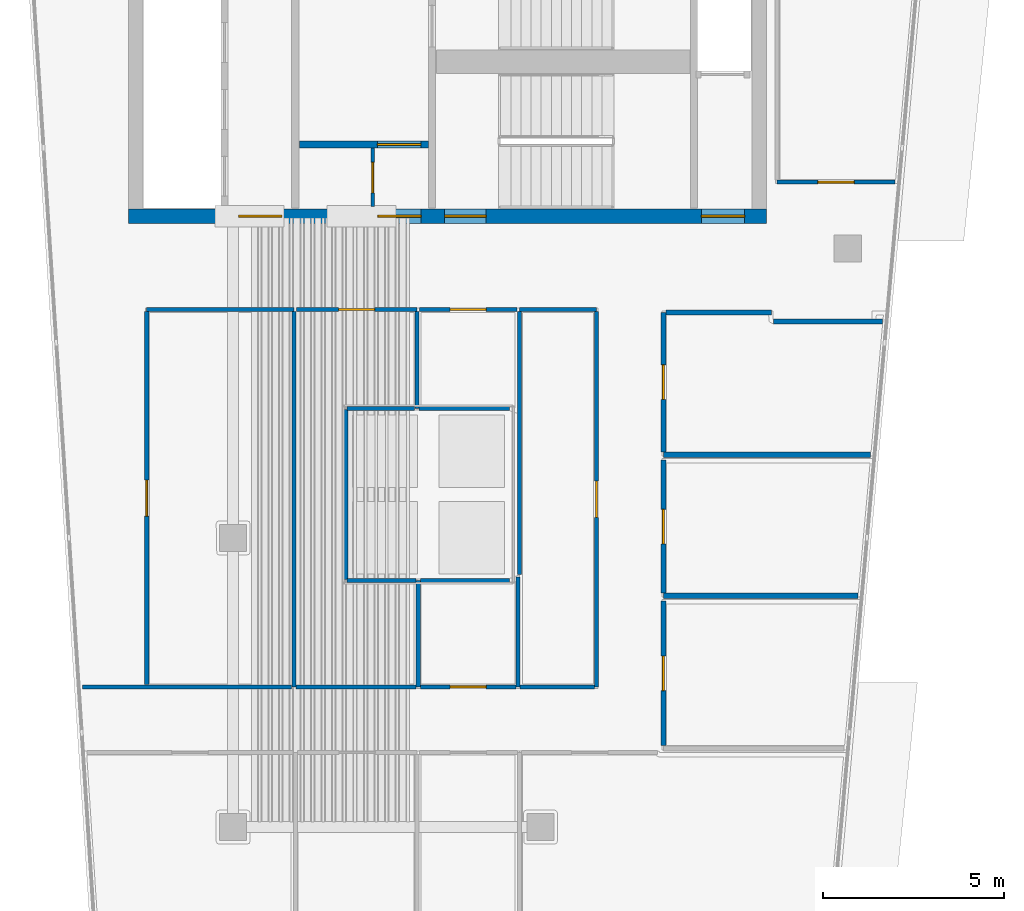
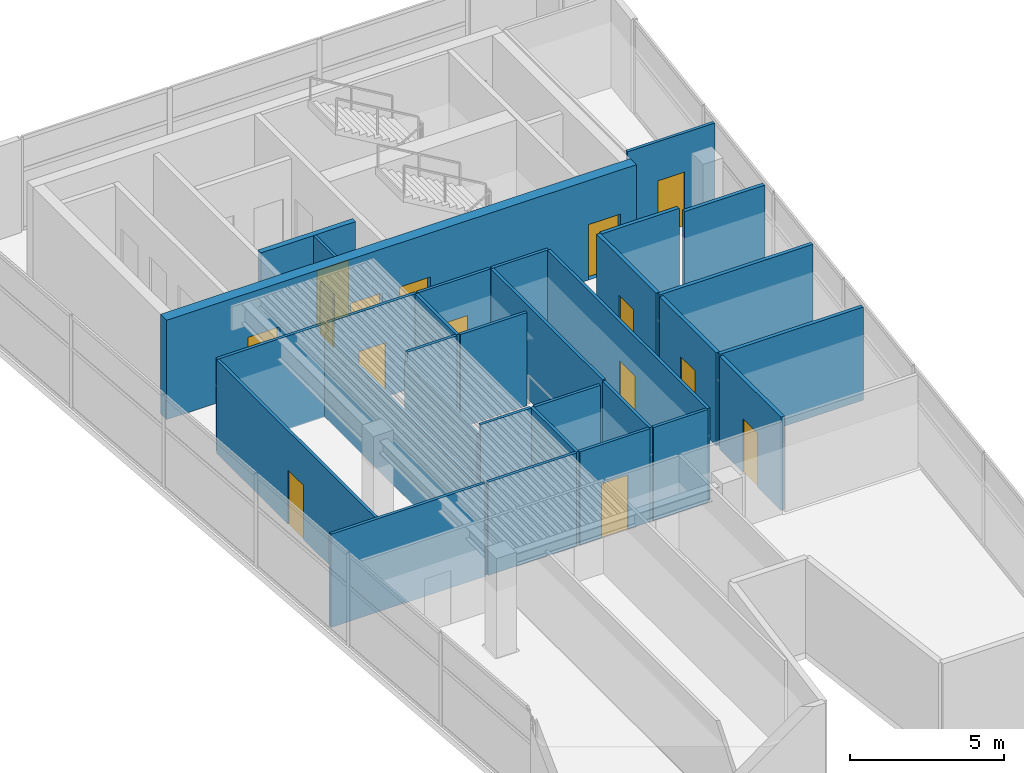
# One storey, part 4 of 7: 31 walls, 15 doors, 15 openings.
"""IFC4 building model written with IfcOpenShell, lengths in metres."""

from ifc_helpers import new_model, si_unit, direction, frame, frame_2d, origin, place, context, subcontext, project, spatial, rectangle, extrude, material, layer, layer_set, type_object, element, fill, save


model = new_model("IFC4")

# Units and contexts
model_context = context("Model", 3, precision=1e-05, world=origin(), true_north=direction((0.0, 1.0)))
body_context = subcontext(model_context, "Body", "Model", "MODEL_VIEW")
ifc_project = project(units=[si_unit("LENGTHUNIT", "METRE"), si_unit("AREAUNIT", "SQUARE_METRE"), si_unit("VOLUMEUNIT", "CUBIC_METRE"), si_unit("PLANEANGLEUNIT", "RADIAN"), si_unit("MASSUNIT", "GRAM", prefix="KILO")], contexts=[model_context])

# Site, building, storey
site_placement = place(None, origin())
site = spatial("IfcSite", under=ifc_project, at=site_placement, CompositionType="ELEMENT")
building_placement = place(site_placement, origin())
building = spatial("IfcBuilding", under=site, at=building_placement, Name="Caeloran Harvest Quay", CompositionType="ELEMENT")
storey_placement = place(building_placement, frame((0.0, 0.0, 300.14990234375)))
storey = spatial("IfcBuildingStorey", under=building, at=storey_placement, Name="L72", CompositionType="ELEMENT", Elevation=300.14990234375)

# Wall, opening, door
ifc_material_1 = material(Name="Fire-Resisting Gypsum Core Riser Partition", Category="gypsum")
ifc_layer_1 = layer(ifc_material_1, 0.10009765625, Name="Fire-Resisting Gypsum Core Riser Partition")
ifc_layer_set_1 = layer_set([ifc_layer_1], Name="Fire-Resisting Gypsum Core Riser Partition")
wall_type_1 = type_object("IfcWallType", Name="INT-WALL-PW-100", PredefinedType="PARTITIONING", material=ifc_layer_set_1)
wall_1_placement = place(storey_placement, frame((12.360107421875, 32.159912109375, 0.0), z_axis=(0.0, 0.0, 1.0), x_axis=(0.0, 1.0, 0.0)))
wall_1 = element("IfcWall", 1, at=wall_1_placement, inside=storey, type_object=wall_type_1, Name="L72 Core Store Partition Wall", PredefinedType="PARTITIONING", context=body_context, shape_type="SweptSolid", body=[
    extrude(rectangle(XDim=1.6201171875, YDim=0.10009765625, at=frame_2d((0.81005859375, 0.0))), origin(), (0.0, 0.0, 1.0), 3.7001953125),
])
opening_1_placement = place(wall_1_placement, frame((0.3798828125, 0.0, 0.0)))
opening_1 = element("IfcOpeningElement", 2, at=opening_1_placement, cuts=wall_1, Name="Opening SV-01", PredefinedType="OPENING", context=body_context, shape_type="SweptSolid", body=[
    extrude(rectangle(XDim=0.85009765625, YDim=2.10009765625, at=frame_2d((0.425048828125, 1.050048828125))), frame((0.0, 0.06005859375, 0.0), z_axis=(0.0, -1.0, 0.0), x_axis=(1.0, 0.0, 0.0)), (0.0, 0.0, 1.0), 0.1201171875),
])
ifc_material_2 = material(Name="Galvanized Painted Steel", Category="steel")
door_type_1 = type_object("IfcDoorType", Name="INTDOOR-SV-01", OperationType="NOTDEFINED", PredefinedType="DOOR", material=ifc_material_2)
door_1_placement = place(opening_1_placement, origin())
door_1 = element("IfcDoor", 3, at=door_1_placement, inside=storey, type_object=door_type_1, Name="L72 Core Service Room Access Door", OperationType="SINGLE_SWING_RIGHT", OverallHeight=2.10009765625, OverallWidth=0.85009765625, PredefinedType="DOOR", context=body_context, shape_type="SweptSolid", body=[
    extrude(rectangle(XDim=0.85009765625, YDim=2.10009765625, at=frame_2d((0.425048828125, 1.050048828125))), frame((0.0, 0.02490234375, 0.0), z_axis=(0.0, -1.0, 0.0), x_axis=(1.0, 0.0, 0.0)), (0.0, 0.0, 1.0), 0.050048828125),
])
fill(opening_1, door_1)

ifc_material_3 = material(Name="Single-Stud Acoustic Gypsum Office Partition", Category="gypsum")
ifc_layer_2 = layer(ifc_material_3, 0.112060546875, Name="Single-Stud Acoustic Gypsum Office Partition")
ifc_layer_set_2 = layer_set([ifc_layer_2], Name="Single-Stud Acoustic Gypsum Office Partition")
wall_type_2 = type_object("IfcWallType", Name="INT-WALL-PW-112", PredefinedType="PARTITIONING", material=ifc_layer_set_2)
wall_2_placement = place(storey_placement, frame((26.812744140625, 32.840087890625, 0.0), z_axis=(0.0, 0.0, 1.0), x_axis=(-1.0, 0.0, 0.0)))
wall_2 = element("IfcWall", 4, at=wall_2_placement, inside=storey, type_object=wall_type_2, Name="L72 Bioinformatics and Crop Phenotyping Laboratory Partition Wall", PredefinedType="PARTITIONING", context=body_context, shape_type="SweptSolid", body=[
    extrude(rectangle(XDim=3.272705078125, YDim=0.112060546875, at=frame_2d((1.63623046875, 0.0))), origin(), (0.0, 0.0, 1.0), 3.7001953125),
])
opening_2_placement = place(wall_2_placement, frame((1.136474609375, 0.0, 0.0)))
opening_2 = element("IfcOpeningElement", 5, at=opening_2_placement, cuts=wall_2, Name="Opening ID-01", PredefinedType="OPENING", context=body_context, shape_type="SweptSolid", body=[
    extrude(rectangle(XDim=1.0, YDim=2.14990234375, at=frame_2d((0.5, 1.074951171875))), frame((0.0, 0.06591796875, 0.0), z_axis=(0.0, -1.0, 0.0), x_axis=(1.0, 0.0, 0.0)), (0.0, 0.0, 1.0), 0.132080078125),
])
ifc_material_4 = material(Name="FSC Solid-Core Ash Timber and Acoustic Seal", Category="wood")
door_type_2 = type_object("IfcDoorType", Name="INTDOOR-ID-01", OperationType="NOTDEFINED", PredefinedType="DOOR", material=ifc_material_4)
door_2_placement = place(opening_2_placement, origin())
door_2 = element("IfcDoor", 6, at=door_2_placement, inside=storey, type_object=door_type_2, Name="L72 Bioinformatics and Crop Phenotyping Laboratory Access Door", OperationType="SINGLE_SWING_LEFT", OverallHeight=2.14990234375, OverallWidth=1.0, PredefinedType="DOOR", context=body_context, shape_type="SweptSolid", body=[
    extrude(rectangle(XDim=1.0, YDim=2.14990234375, at=frame_2d((0.5, 1.074951171875))), frame((0.0, 0.02490234375, 0.0), z_axis=(0.0, -1.0, 0.0), x_axis=(1.0, 0.0, 0.0)), (0.0, 0.0, 1.0), 0.050048828125),
])
fill(opening_2, door_2)

# Walls
wall_3_placement = place(storey_placement, frame((13.6201171875, 18.8798828125, 0.0), z_axis=(0.0, 0.0, 1.0), x_axis=(0.0, 1.0, 0.0)))
element("IfcWall", 7, at=wall_3_placement, inside=storey, type_object=wall_type_2, Name="Sky-Atrium Observation Lounge Partition Wall", PredefinedType="PARTITIONING", context=body_context, shape_type="SweptSolid", body=[
    extrude(rectangle(XDim=2.940185546875, YDim=0.112060546875, at=frame_2d((1.47021484375, 0.0))), origin(), (0.0, 0.0, 1.0), 3.7001953125),
])
wall_4_placement = place(storey_placement, frame((13.680908203125, 21.820068359375, 0.0), z_axis=(0.0, 0.0, 1.0), x_axis=(1.0, 0.0, 0.0)))
element("IfcWall", 8, at=wall_4_placement, inside=storey, type_object=wall_type_2, Name="Sky-Atrium Observation Lounge Partition Wall", PredefinedType="PARTITIONING", context=body_context, shape_type="SweptSolid", body=[
    extrude(rectangle(XDim=2.468994140625, YDim=0.112060546875, at=frame_2d((1.234375, 0.0))), origin(), (0.0, 0.0, 1.0), 3.7001953125),
])
wall_5_placement = place(storey_placement, frame((16.3798828125, 21.922119140625, 0.0), z_axis=(0.0, 0.0, 1.0), x_axis=(0.0, -1.0, 0.0)))
element("IfcWall", 9, at=wall_5_placement, inside=storey, type_object=wall_type_2, Name="Sky-Atrium Observation Lounge Partition Wall", PredefinedType="PARTITIONING", context=body_context, shape_type="SweptSolid", body=[
    extrude(rectangle(XDim=3.042236328125, YDim=0.112060546875, at=frame_2d((1.52099609375, 0.0))), origin(), (0.0, 0.0, 1.0), 3.7001953125),
])

# Wall, opening, door
wall_6_placement = place(storey_placement, frame((16.319091796875, 18.8798828125, 0.0), z_axis=(0.0, 0.0, 1.0), x_axis=(-1.0, 0.0, 0.0)))
wall_6 = element("IfcWall", 10, at=wall_6_placement, inside=storey, type_object=wall_type_2, Name="Sky-Atrium Observation Lounge Partition Wall", PredefinedType="PARTITIONING", context=body_context, shape_type="SweptSolid", body=[
    extrude(rectangle(XDim=2.63818359375, YDim=0.112060546875, at=frame_2d((1.319091796875, 0.0))), origin(), (0.0, 0.0, 1.0), 3.7001953125),
])
opening_3_placement = place(wall_6_placement, frame((0.819091796875, 0.0, 0.0)))
opening_3 = element("IfcOpeningElement", 11, at=opening_3_placement, cuts=wall_6, Name="Opening ID-01", PredefinedType="OPENING", context=body_context, shape_type="SweptSolid", body=[
    extrude(rectangle(XDim=1.0, YDim=2.14990234375, at=frame_2d((0.5, 1.074951171875))), frame((0.0, 0.06591796875, 0.0), z_axis=(0.0, -1.0, 0.0), x_axis=(1.0, 0.0, 0.0)), (0.0, 0.0, 1.0), 0.132080078125),
])
door_3_placement = place(opening_3_placement, origin())
door_3 = element("IfcDoor", 12, at=door_3_placement, inside=storey, type_object=door_type_2, Name="Sky-Atrium Observation Lounge Access Door", OperationType="SINGLE_SWING_LEFT", OverallHeight=2.14990234375, OverallWidth=1.0, PredefinedType="DOOR", context=body_context, shape_type="SweptSolid", body=[
    extrude(rectangle(XDim=1.0, YDim=2.14990234375, at=frame_2d((0.5, 1.074951171875))), frame((0.0, 0.02490234375, 0.0), z_axis=(0.0, -1.0, 0.0), x_axis=(1.0, 0.0, 0.0)), (0.0, 0.0, 1.0), 0.050048828125),
])
fill(opening_3, door_3)

# Walls
wall_7_placement = place(storey_placement, frame((6.110107421875, 29.320068359375, 0.0), z_axis=(0.0, 0.0, 1.0), x_axis=(1.0, 0.0, 0.0)))
element("IfcWall", 13, at=wall_7_placement, inside=storey, type_object=wall_type_2, Name="Botanical Tea Kitchen Partition Wall", PredefinedType="PARTITIONING", context=body_context, shape_type="SweptSolid", body=[
    extrude(rectangle(XDim=4.06982421875, YDim=0.112060546875, at=frame_2d((2.034912109375, 0.0))), origin(), (0.0, 0.0, 1.0), 3.7001953125),
])
wall_8_placement = place(storey_placement, frame((10.179931640625, 29.259033203125, 0.0), z_axis=(0.0, 0.0, 1.0), x_axis=(0.0, -1.0, 0.0)))
element("IfcWall", 14, at=wall_8_placement, inside=storey, type_object=wall_type_2, Name="Botanical Tea Kitchen Partition Wall", PredefinedType="PARTITIONING", context=body_context, shape_type="SweptSolid", body=[
    extrude(rectangle(XDim=10.379150390625, YDim=0.112060546875, at=frame_2d((5.189453125, 0.0))), origin(), (0.0, 0.0, 1.0), 3.3251953125),
])
wall_9_placement = place(storey_placement, frame((10.118896484375, 18.8798828125, 0.0), z_axis=(0.0, 0.0, 1.0), x_axis=(-1.0, 0.0, 0.0)))
element("IfcWall", 15, at=wall_9_placement, inside=storey, type_object=wall_type_2, Name="Botanical Tea Kitchen Partition Wall", PredefinedType="PARTITIONING", context=body_context, shape_type="SweptSolid", body=[
    extrude(rectangle(XDim=5.78564453125, YDim=0.112060546875, at=frame_2d((2.892822265625, 0.0))), origin(), (0.0, 0.0, 1.0), 3.7001953125),
])

# Wall, opening, door
wall_10_placement = place(storey_placement, frame((6.110107421875, 18.94091796875, 0.0), z_axis=(0.0, 0.0, 1.0), x_axis=(0.0, 1.0, 0.0)))
wall_10 = element("IfcWall", 16, at=wall_10_placement, inside=storey, type_object=wall_type_2, Name="Botanical Tea Kitchen Partition Wall", PredefinedType="PARTITIONING", context=body_context, shape_type="SweptSolid", body=[
    extrude(rectangle(XDim=10.318115234375, YDim=0.112060546875, at=frame_2d((5.1591796875, 0.0))), origin(), (0.0, 0.0, 1.0), 3.7001953125),
])
opening_4_placement = place(wall_10_placement, frame((4.658935546875, 0.0, 0.0)))
opening_4 = element("IfcOpeningElement", 17, at=opening_4_placement, cuts=wall_10, Name="Opening ID-01", PredefinedType="OPENING", context=body_context, shape_type="SweptSolid", body=[
    extrude(rectangle(XDim=1.0, YDim=2.14990234375, at=frame_2d((0.5, 1.074951171875))), frame((0.0, 0.06591796875, 0.0), z_axis=(0.0, -1.0, 0.0), x_axis=(1.0, 0.0, 0.0)), (0.0, 0.0, 1.0), 0.132080078125),
])
door_4_placement = place(opening_4_placement, origin())
door_4 = element("IfcDoor", 18, at=door_4_placement, inside=storey, type_object=door_type_2, Name="Botanical Tea Kitchen Access Door", OperationType="SINGLE_SWING_RIGHT", OverallHeight=2.14990234375, OverallWidth=1.0, PredefinedType="DOOR", context=body_context, shape_type="SweptSolid", body=[
    extrude(rectangle(XDim=1.0, YDim=2.14990234375, at=frame_2d((0.5, 1.074951171875))), frame((0.0, 0.02490234375, 0.0), z_axis=(0.0, -1.0, 0.0), x_axis=(1.0, 0.0, 0.0)), (0.0, 0.0, 1.0), 0.050048828125),
])
fill(opening_4, door_4)

# Walls
wall_11_placement = place(storey_placement, frame((11.6201171875, 26.550048828125, 0.0), z_axis=(0.0, 0.0, 1.0), x_axis=(0.0, -1.0, 0.0)))
element("IfcWall", 19, at=wall_11_placement, inside=storey, type_object=wall_type_2, Name="West Harbour Tasting Kitchen 7 Partition Wall", PredefinedType="PARTITIONING", context=body_context, shape_type="SweptSolid", body=[
    extrude(rectangle(XDim=4.699951171875, YDim=0.112060546875, at=frame_2d((2.35009765625, 0.0))), origin(), (0.0, 0.0, 1.0), 3.3251953125),
])
wall_12_placement = place(storey_placement, frame((11.64990234375, 21.820068359375, 0.0), z_axis=(0.0, 0.0, 1.0), x_axis=(1.0, 0.0, 0.0)))
element("IfcWall", 20, at=wall_12_placement, inside=storey, type_object=wall_type_2, Name="West Harbour Tasting Kitchen 7 Partition Wall", PredefinedType="PARTITIONING", context=body_context, shape_type="SweptSolid", body=[
    extrude(rectangle(XDim=1.9091796875, YDim=0.112060546875, at=frame_2d((0.95458984375, 0.0))), origin(), (0.0, 0.0, 1.0), 3.7001953125),
])
wall_13_placement = place(storey_placement, frame((13.55908203125, 18.8798828125, 0.0), z_axis=(0.0, 0.0, 1.0), x_axis=(-1.0, 0.0, 0.0)))
element("IfcWall", 21, at=wall_13_placement, inside=storey, type_object=wall_type_2, Name="West Harbour Tasting Kitchen 7 Partition Wall", PredefinedType="PARTITIONING", context=body_context, shape_type="SweptSolid", body=[
    extrude(rectangle(XDim=3.318115234375, YDim=0.112060546875, at=frame_2d((1.6591796875, 0.0))), origin(), (0.0, 0.0, 1.0), 3.7001953125),
])

# Wall, opening, door
wall_14_placement = place(storey_placement, frame((10.248046875, 29.320068359375, 0.0), z_axis=(0.0, 0.0, 1.0), x_axis=(1.0, 0.0, 0.0)))
wall_14 = element("IfcWall", 22, at=wall_14_placement, inside=storey, type_object=wall_type_2, Name="West Harbour Tasting Kitchen 7 Partition Wall", PredefinedType="PARTITIONING", context=body_context, shape_type="SweptSolid", body=[
    extrude(rectangle(XDim=3.33203125, YDim=0.112060546875, at=frame_2d((1.666015625, 0.0))), origin(), (0.0, 0.0, 1.0), 3.7001953125),
])
opening_5_placement = place(wall_14_placement, frame((1.166015625, 0.0, 0.0)))
opening_5 = element("IfcOpeningElement", 23, at=opening_5_placement, cuts=wall_14, Name="Opening ID-01", PredefinedType="OPENING", context=body_context, shape_type="SweptSolid", body=[
    extrude(rectangle(XDim=1.0, YDim=2.14990234375, at=frame_2d((0.5, 1.074951171875))), frame((0.0, 0.06591796875, 0.0), z_axis=(0.0, -1.0, 0.0), x_axis=(1.0, 0.0, 0.0)), (0.0, 0.0, 1.0), 0.132080078125),
])
door_5_placement = place(opening_5_placement, origin())
door_5 = element("IfcDoor", 24, at=door_5_placement, inside=storey, type_object=door_type_2, Name="West Harbour Tasting Kitchen 7 Access Door", OperationType="SINGLE_SWING_LEFT", OverallHeight=2.14990234375, OverallWidth=1.0, PredefinedType="DOOR", context=body_context, shape_type="SweptSolid", body=[
    extrude(rectangle(XDim=1.0, YDim=2.14990234375, at=frame_2d((0.5, 1.074951171875))), frame((0.0, 0.02490234375, 0.0), z_axis=(0.0, -1.0, 0.0), x_axis=(1.0, 0.0, 0.0)), (0.0, 0.0, 1.0), 0.050048828125),
])
fill(opening_5, door_5)

# Walls
wall_15_placement = place(storey_placement, frame((13.580078125, 29.259033203125, 0.0), z_axis=(0.0, 0.0, 1.0), x_axis=(0.0, -1.0, 0.0)))
element("IfcWall", 25, at=wall_15_placement, inside=storey, type_object=wall_type_2, Name="West Harbour Tasting Kitchen 7 Partition Wall", PredefinedType="PARTITIONING", context=body_context, shape_type="SweptSolid", body=[
    extrude(rectangle(XDim=2.678955078125, YDim=0.112060546875, at=frame_2d((1.33935546875, 0.0))), origin(), (0.0, 0.0, 1.0), 3.7001953125),
])
wall_16_placement = place(storey_placement, frame((13.51904296875, 26.580078125, 0.0), z_axis=(0.0, 0.0, 1.0), x_axis=(-1.0, 0.0, 0.0)))
element("IfcWall", 26, at=wall_16_placement, inside=storey, type_object=wall_type_2, Name="West Harbour Tasting Kitchen 7 Partition Wall", PredefinedType="PARTITIONING", context=body_context, shape_type="SweptSolid", body=[
    extrude(rectangle(XDim=1.869140625, YDim=0.112060546875, at=frame_2d((0.9345703125, 0.0))), origin(), (0.0, 0.0, 1.0), 3.7001953125),
])
wall_17_placement = place(storey_placement, frame((16.419921875, 29.320068359375, 0.0), z_axis=(0.0, 0.0, 1.0), x_axis=(1.0, 0.0, 0.0)))
element("IfcWall", 27, at=wall_17_placement, inside=storey, type_object=wall_type_2, Name="Executive Dining Kitchen 8 Partition Wall", PredefinedType="PARTITIONING", context=body_context, shape_type="SweptSolid", body=[
    extrude(rectangle(XDim=2.130126953125, YDim=0.112060546875, at=frame_2d((1.06494140625, 0.0))), origin(), (0.0, 0.0, 1.0), 3.7001953125),
])

# Wall, opening, door
wall_18_placement = place(storey_placement, frame((18.550048828125, 29.259033203125, 0.0), z_axis=(0.0, 0.0, 1.0), x_axis=(0.0, -1.0, 0.0)))
wall_18 = element("IfcWall", 28, at=wall_18_placement, inside=storey, type_object=wall_type_2, Name="Executive Dining Kitchen 8 Partition Wall", PredefinedType="PARTITIONING", context=body_context, shape_type="SweptSolid", body=[
    extrude(rectangle(XDim=10.379150390625, YDim=0.112060546875, at=frame_2d((5.189453125, 0.0))), origin(), (0.0, 0.0, 1.0), 3.7001953125),
])
opening_6_placement = place(wall_18_placement, frame((4.689453125, 0.0, 0.0)))
opening_6 = element("IfcOpeningElement", 29, at=opening_6_placement, cuts=wall_18, Name="Opening ID-01", PredefinedType="OPENING", context=body_context, shape_type="SweptSolid", body=[
    extrude(rectangle(XDim=1.0, YDim=2.14990234375, at=frame_2d((0.5, 1.074951171875))), frame((0.0, 0.06591796875, 0.0), z_axis=(0.0, -1.0, 0.0), x_axis=(1.0, 0.0, 0.0)), (0.0, 0.0, 1.0), 0.132080078125),
])
door_6_placement = place(opening_6_placement, origin())
door_6 = element("IfcDoor", 30, at=door_6_placement, inside=storey, type_object=door_type_2, Name="Executive Dining Kitchen 8 Access Door", OperationType="SINGLE_SWING_RIGHT", OverallHeight=2.14990234375, OverallWidth=1.0, PredefinedType="DOOR", context=body_context, shape_type="SweptSolid", body=[
    extrude(rectangle(XDim=1.0, YDim=2.14990234375, at=frame_2d((0.5, 1.074951171875))), frame((0.0, 0.02490234375, 0.0), z_axis=(0.0, -1.0, 0.0), x_axis=(1.0, 0.0, 0.0)), (0.0, 0.0, 1.0), 0.050048828125),
])
fill(opening_6, door_6)

# Walls
wall_19_placement = place(storey_placement, frame((18.489013671875, 18.8798828125, 0.0), z_axis=(0.0, 0.0, 1.0), x_axis=(-1.0, 0.0, 0.0)))
element("IfcWall", 31, at=wall_19_placement, inside=storey, type_object=wall_type_2, Name="Executive Dining Kitchen 8 Partition Wall", PredefinedType="PARTITIONING", context=body_context, shape_type="SweptSolid", body=[
    extrude(rectangle(XDim=2.048095703125, YDim=0.112060546875, at=frame_2d((1.02392578125, 0.0))), origin(), (0.0, 0.0, 1.0), 3.7001953125),
])
wall_20_placement = place(storey_placement, frame((16.419921875, 21.989990234375, 0.0), z_axis=(0.0, 0.0, 1.0), x_axis=(0.0, 1.0, 0.0)))
element("IfcWall", 32, at=wall_20_placement, inside=storey, type_object=wall_type_2, Name="Executive Dining Kitchen 8 Partition Wall", PredefinedType="PARTITIONING", context=body_context, shape_type="SweptSolid", body=[
    extrude(rectangle(XDim=7.26904296875, YDim=0.112060546875, at=frame_2d((3.634521484375, 0.0))), origin(), (0.0, 0.0, 1.0), 3.7001953125),
])
wall_21_placement = place(storey_placement, frame((16.14990234375, 26.580078125, 0.0), z_axis=(0.0, 0.0, 1.0), x_axis=(-1.0, 0.0, 0.0)))
element("IfcWall", 33, at=wall_21_placement, inside=storey, type_object=wall_type_2, Name="Sommelier Prep Kitchen 9 Partition Wall", PredefinedType="PARTITIONING", context=body_context, shape_type="SweptSolid", body=[
    extrude(rectangle(XDim=2.5087890625, YDim=0.112060546875, at=frame_2d((1.25439453125, 0.0))), origin(), (0.0, 0.0, 1.0), 3.7001953125),
])

# Wall, opening, door
wall_22_placement = place(storey_placement, frame((13.64794921875, 29.320068359375, 0.0), z_axis=(0.0, 0.0, 1.0), x_axis=(1.0, 0.0, 0.0)))
wall_22 = element("IfcWall", 34, at=wall_22_placement, inside=storey, type_object=wall_type_2, Name="Sommelier Prep Kitchen 9 Partition Wall", PredefinedType="PARTITIONING", context=body_context, shape_type="SweptSolid", body=[
    extrude(rectangle(XDim=2.7041015625, YDim=0.112060546875, at=frame_2d((1.35205078125, 0.0))), origin(), (0.0, 0.0, 1.0), 3.7001953125),
])
opening_7_placement = place(wall_22_placement, frame((0.85205078125, 0.0, 0.0)))
opening_7 = element("IfcOpeningElement", 35, at=opening_7_placement, cuts=wall_22, Name="Opening ID-01", PredefinedType="OPENING", context=body_context, shape_type="SweptSolid", body=[
    extrude(rectangle(XDim=1.0, YDim=2.14990234375, at=frame_2d((0.5, 1.074951171875))), frame((0.0, 0.06591796875, 0.0), z_axis=(0.0, -1.0, 0.0), x_axis=(1.0, 0.0, 0.0)), (0.0, 0.0, 1.0), 0.132080078125),
])
door_7_placement = place(opening_7_placement, origin())
door_7 = element("IfcDoor", 36, at=door_7_placement, inside=storey, type_object=door_type_2, Name="Sommelier Prep Kitchen 9 Access Door", OperationType="SINGLE_SWING_LEFT", OverallHeight=2.14990234375, OverallWidth=1.0, PredefinedType="DOOR", context=body_context, shape_type="SweptSolid", body=[
    extrude(rectangle(XDim=1.0, YDim=2.14990234375, at=frame_2d((0.5, 1.074951171875))), frame((0.0, 0.02490234375, 0.0), z_axis=(0.0, -1.0, 0.0), x_axis=(1.0, 0.0, 0.0)), (0.0, 0.0, 1.0), 0.050048828125),
])
fill(opening_7, door_7)

# Walls
ifc_material_5 = material(Name="Moisture-Resistant Cement-Board Sanitary Partition", Category="gypsum")
ifc_layer_3 = layer(ifc_material_5, 0.139892578125, Name="Moisture-Resistant Cement-Board Sanitary Partition")
ifc_layer_set_3 = layer_set([ifc_layer_3], Name="Moisture-Resistant Cement-Board Sanitary Partition")
wall_type_3 = type_object("IfcWallType", Name="INT-WALL-PW-140", PredefinedType="PARTITIONING", material=ifc_layer_set_3)
wall_23_placement = place(storey_placement, frame((23.449951171875, 28.989990234375, 0.0), z_axis=(0.0, 0.0, 1.0), x_axis=(1.0, 0.0, 0.0)))
element("IfcWall", 37, at=wall_23_placement, inside=storey, type_object=wall_type_3, Name="L72 Male Washroom WC Partition Wall", PredefinedType="PARTITIONING", context=body_context, shape_type="SweptSolid", body=[
    extrude(rectangle(XDim=3.015625, YDim=0.139892578125, at=frame_2d((1.5078125, 0.0))), origin(), (0.0, 0.0, 1.0), 3.7001953125),
])
wall_24_placement = place(storey_placement, frame((26.1328125, 25.300048828125, 0.0), z_axis=(0.0, 0.0, 1.0), x_axis=(-1.0, 0.0, 0.0)))
element("IfcWall", 38, at=wall_24_placement, inside=storey, type_object=wall_type_3, Name="L72 Male Washroom WC Partition Wall", PredefinedType="PARTITIONING", context=body_context, shape_type="SweptSolid", body=[
    extrude(rectangle(XDim=5.73291015625, YDim=0.139892578125, at=frame_2d((2.866455078125, 0.0))), origin(), (0.0, 0.0, 1.0), 3.7001953125),
])

# Wall, opening, door
wall_25_placement = place(storey_placement, frame((20.39990234375, 25.375, 0.0), z_axis=(0.0, 0.0, 1.0), x_axis=(0.0, 1.0, 0.0)))
wall_25 = element("IfcWall", 39, at=wall_25_placement, inside=storey, type_object=wall_type_3, Name="L72 Male Washroom WC Partition Wall", PredefinedType="PARTITIONING", context=body_context, shape_type="SweptSolid", body=[
    extrude(rectangle(XDim=3.864990234375, YDim=0.139892578125, at=frame_2d((1.9326171875, 0.0))), origin(), (0.0, 0.0, 1.0), 3.7001953125),
])
opening_8_placement = place(wall_25_placement, frame((1.45751953125, 0.0, 0.0)))
opening_8 = element("IfcOpeningElement", 40, at=opening_8_placement, cuts=wall_25, Name="Opening WC-01", PredefinedType="OPENING", context=body_context, shape_type="SweptSolid", body=[
    extrude(rectangle(XDim=0.949951171875, YDim=2.14990234375, at=frame_2d((0.47509765625, 1.074951171875))), frame((0.0, 0.080078125, 0.0), z_axis=(0.0, -1.0, 0.0), x_axis=(1.0, 0.0, 0.0)), (0.0, 0.0, 1.0), 0.159912109375),
])
ifc_material_6 = material(Name="High-Pressure Laminate Moisture-Resistant Timber", Category="wood")
door_type_3 = type_object("IfcDoorType", Name="INTDOOR-WC-01", OperationType="NOTDEFINED", PredefinedType="DOOR", material=ifc_material_6)
door_8_placement = place(opening_8_placement, origin())
door_8 = element("IfcDoor", 41, at=door_8_placement, inside=storey, type_object=door_type_3, Name="L72 Male Washroom WC Access Door", OperationType="SINGLE_SWING_RIGHT", OverallHeight=2.14990234375, OverallWidth=0.949951171875, PredefinedType="DOOR", context=body_context, shape_type="SweptSolid", body=[
    extrude(rectangle(XDim=0.949951171875, YDim=2.14990234375, at=frame_2d((0.47509765625, 1.074951171875))), frame((0.0, 0.02490234375, 0.0), z_axis=(0.0, -1.0, 0.0), x_axis=(1.0, 0.0, 0.0)), (0.0, 0.0, 1.0), 0.050048828125),
])
fill(opening_8, door_8)

# Walls
wall_26_placement = place(storey_placement, frame((20.47509765625, 29.239990234375, 0.0), z_axis=(0.0, 0.0, 1.0), x_axis=(1.0, 0.0, 0.0)))
element("IfcWall", 42, at=wall_26_placement, inside=storey, type_object=wall_type_3, Name="L72 Male Washroom WC Partition Wall", PredefinedType="PARTITIONING", context=body_context, shape_type="SweptSolid", body=[
    extrude(rectangle(XDim=2.914794921875, YDim=0.139892578125, at=frame_2d((1.45751953125, 0.0))), origin(), (0.0, 0.0, 1.0), 3.7001953125),
])
wall_27_placement = place(storey_placement, frame((25.781005859375, 21.39990234375, 0.0), z_axis=(0.0, 0.0, 1.0), x_axis=(-1.0, 0.0, 0.0)))
element("IfcWall", 43, at=wall_27_placement, inside=storey, type_object=wall_type_3, Name="L72 Female Washroom WC Partition Wall", PredefinedType="PARTITIONING", context=body_context, shape_type="SweptSolid", body=[
    extrude(rectangle(XDim=5.381103515625, YDim=0.139892578125, at=frame_2d((2.6904296875, 0.0))), origin(), (0.0, 0.0, 1.0), 3.7001953125),
])

# Wall, opening, door
wall_28_placement = place(storey_placement, frame((20.39990234375, 21.47509765625, 0.0), z_axis=(0.0, 0.0, 1.0), x_axis=(0.0, 1.0, 0.0)))
wall_28 = element("IfcWall", 44, at=wall_28_placement, inside=storey, type_object=wall_type_3, Name="L72 Female Washroom WC Partition Wall", PredefinedType="PARTITIONING", context=body_context, shape_type="SweptSolid", body=[
    extrude(rectangle(XDim=3.6748046875, YDim=0.139892578125, at=frame_2d((1.83740234375, 0.0))), origin(), (0.0, 0.0, 1.0), 3.7001953125),
])
opening_9_placement = place(wall_28_placement, frame((1.362548828125, 0.0, 0.0)))
opening_9 = element("IfcOpeningElement", 45, at=opening_9_placement, cuts=wall_28, Name="Opening WC-01", PredefinedType="OPENING", context=body_context, shape_type="SweptSolid", body=[
    extrude(rectangle(XDim=0.949951171875, YDim=2.14990234375, at=frame_2d((0.47509765625, 1.074951171875))), frame((0.0, 0.080078125, 0.0), z_axis=(0.0, -1.0, 0.0), x_axis=(1.0, 0.0, 0.0)), (0.0, 0.0, 1.0), 0.159912109375),
])
door_9_placement = place(opening_9_placement, origin())
door_9 = element("IfcDoor", 46, at=door_9_placement, inside=storey, type_object=door_type_3, Name="L72 Female Washroom WC Access Door", OperationType="SINGLE_SWING_LEFT", OverallHeight=2.14990234375, OverallWidth=0.949951171875, PredefinedType="DOOR", context=body_context, shape_type="SweptSolid", body=[
    extrude(rectangle(XDim=0.949951171875, YDim=2.14990234375, at=frame_2d((0.47509765625, 1.074951171875))), frame((0.0, 0.02490234375, 0.0), z_axis=(0.0, -1.0, 0.0), x_axis=(1.0, 0.0, 0.0)), (0.0, 0.0, 1.0), 0.050048828125),
])
fill(opening_9, door_9)

wall_29_placement = place(storey_placement, frame((20.39990234375, 17.2548828125, 0.0), z_axis=(0.0, 0.0, 1.0), x_axis=(0.0, 1.0, 0.0)))
wall_29 = element("IfcWall", 47, at=wall_29_placement, inside=storey, type_object=wall_type_3, Name="L72 Accessible Unisex Washroom WC Partition Wall", PredefinedType="PARTITIONING", context=body_context, shape_type="SweptSolid", body=[
    extrude(rectangle(XDim=3.9951171875, YDim=0.139892578125, at=frame_2d((1.99755859375, 0.0))), origin(), (0.0, 0.0, 1.0), 3.7001953125),
])
opening_10_placement = place(wall_29_placement, frame((1.5224609375, 0.0, 0.0)))
opening_10 = element("IfcOpeningElement", 48, at=opening_10_placement, cuts=wall_29, Name="Opening WC-01", PredefinedType="OPENING", context=body_context, shape_type="SweptSolid", body=[
    extrude(rectangle(XDim=0.949951171875, YDim=2.14990234375, at=frame_2d((0.47509765625, 1.074951171875))), frame((0.0, 0.080078125, 0.0), z_axis=(0.0, -1.0, 0.0), x_axis=(1.0, 0.0, 0.0)), (0.0, 0.0, 1.0), 0.159912109375),
])
door_10_placement = place(opening_10_placement, origin())
door_10 = element("IfcDoor", 49, at=door_10_placement, inside=storey, type_object=door_type_3, Name="L72 Accessible Unisex Washroom WC Access Door", OperationType="SINGLE_SWING_RIGHT", OverallHeight=2.14990234375, OverallWidth=0.949951171875, PredefinedType="DOOR", context=body_context, shape_type="SweptSolid", body=[
    extrude(rectangle(XDim=0.949951171875, YDim=2.14990234375, at=frame_2d((0.47509765625, 1.074951171875))), frame((0.0, 0.02490234375, 0.0), z_axis=(0.0, -1.0, 0.0), x_axis=(1.0, 0.0, 0.0)), (0.0, 0.0, 1.0), 0.050048828125),
])
fill(opening_10, door_10)

ifc_material_7 = material(Name="Concrete C50/60", Category="concrete")
ifc_layer_4 = layer(ifc_material_7, 0.199951171875, Name="Concrete C50/60")
ifc_layer_set_4 = layer_set([ifc_layer_4], Name="Concrete C50/60")
wall_type_4 = type_object("IfcWallType", Name="INT-WALL-SW-200", PredefinedType="PARTITIONING", material=ifc_layer_set_4)
wall_30_placement = place(storey_placement, frame((10.340087890625, 33.8798828125, 0.0), z_axis=(0.0, 0.0, 1.0), x_axis=(1.0, 0.0, 0.0)))
wall_30 = element("IfcWall", 50, at=wall_30_placement, inside=storey, type_object=wall_type_4, Name="L72 Firefighting Lift Lobby Enclosure Wall", PredefinedType="PARTITIONING", context=body_context, shape_type="SweptSolid", body=[
    extrude(rectangle(XDim=3.559814453125, YDim=0.199951171875, at=frame_2d((1.77978515625, 0.0))), origin(), (0.0, 0.0, 1.0), 3.7001953125),
])
opening_11_placement = place(wall_30_placement, frame((2.14990234375, 0.0, 0.0)))
opening_11 = element("IfcOpeningElement", 51, at=opening_11_placement, cuts=wall_30, Name="Opening FD-01", PredefinedType="OPENING", context=body_context, shape_type="SweptSolid", body=[
    extrude(rectangle(XDim=1.199951171875, YDim=2.199951171875, at=frame_2d((0.60009765625, 1.10009765625))), frame((0.0, 0.10986328125, 0.0), z_axis=(0.0, -1.0, 0.0), x_axis=(1.0, 0.0, 0.0)), (0.0, 0.0, 1.0), 0.219970703125),
])
ifc_material_8 = material(Name="Steel", Category="steel")
door_type_4 = type_object("IfcDoorType", Name="INTDOOR-FD-01", OperationType="NOTDEFINED", PredefinedType="DOOR", material=ifc_material_8)
door_11_placement = place(opening_11_placement, origin())
door_11 = element("IfcDoor", 52, at=door_11_placement, inside=storey, type_object=door_type_4, Name="L72 Firefighting Lift Lobby Smoke-Seal Fire Door", OperationType="SINGLE_SWING_RIGHT", OverallHeight=2.199951171875, OverallWidth=1.199951171875, PredefinedType="DOOR", context=body_context, shape_type="SweptSolid", body=[
    extrude(rectangle(XDim=1.199951171875, YDim=2.199951171875, at=frame_2d((0.60009765625, 1.10009765625))), frame((0.0, 0.02490234375, 0.0), z_axis=(0.0, -1.0, 0.0), x_axis=(1.0, 0.0, 0.0)), (0.0, 0.0, 1.0), 0.050048828125),
])
fill(opening_11, door_11)

# Wall, openings, doors
ifc_material_9 = material(Name="Concrete C60/75", Category="concrete")
ifc_layer_5 = layer(ifc_material_9, 0.39990234375, Name="Concrete C60/75")
ifc_layer_set_5 = layer_set([ifc_layer_5], Name="Concrete C60/75")
wall_type_5 = type_object("IfcWallType", Name="STR-WALL-CW-400", PredefinedType="SHEAR", material=ifc_layer_set_5)
wall_31_placement = place(storey_placement, frame((5.60009765625, 31.89990234375, 0.0), z_axis=(0.0, 0.0, 1.0), x_axis=(1.0, 0.0, 0.0)))
wall_31 = element("IfcWall", 53, at=wall_31_placement, inside=storey, type_object=wall_type_5, Name="L72 Rear Core Shear Wall S", PredefinedType="SHEAR", context=body_context, shape_type="SweptSolid", body=[
    extrude(rectangle(XDim=17.64990234375, YDim=0.39990234375, at=frame_2d((8.824951171875, 0.0))), origin(), (0.0, 0.0, 1.0), 3.9501953125),
])
opening_12_placement = place(wall_31_placement, frame((3.050048828125, 0.0, 0.0)))
opening_12 = element("IfcOpeningElement", 54, at=opening_12_placement, cuts=wall_31, Name="Opening FD-01", PredefinedType="OPENING", context=body_context, shape_type="SweptSolid", body=[
    extrude(rectangle(XDim=1.199951171875, YDim=2.199951171875, at=frame_2d((0.60009765625, 1.10009765625))), frame((0.0, 0.2099609375, 0.0), z_axis=(0.0, -1.0, 0.0), x_axis=(1.0, 0.0, 0.0)), (0.0, 0.0, 1.0), 0.419921875),
])
opening_13_placement = place(wall_31_placement, frame((6.89990234375, 0.0, 0.0)))
opening_13 = element("IfcOpeningElement", 55, at=opening_13_placement, cuts=wall_31, Name="Opening FD-01", PredefinedType="OPENING", context=body_context, shape_type="SweptSolid", body=[
    extrude(rectangle(XDim=1.199951171875, YDim=2.199951171875, at=frame_2d((0.60009765625, 1.10009765625))), frame((0.0, 0.2099609375, 0.0), z_axis=(0.0, -1.0, 0.0), x_axis=(1.0, 0.0, 0.0)), (0.0, 0.0, 1.0), 0.419921875),
])
opening_14_placement = place(wall_31_placement, frame((8.75, 0.0, 0.0)))
opening_14 = element("IfcOpeningElement", 56, at=opening_14_placement, cuts=wall_31, Name="Opening SD-01", PredefinedType="OPENING", context=body_context, shape_type="SweptSolid", body=[
    extrude(rectangle(XDim=1.14990234375, YDim=2.199951171875, at=frame_2d((0.574951171875, 1.10009765625))), frame((0.0, 0.2099609375, 0.0), z_axis=(0.0, -1.0, 0.0), x_axis=(1.0, 0.0, 0.0)), (0.0, 0.0, 1.0), 0.419921875),
])
opening_15_placement = place(wall_31_placement, frame((15.85009765625, 0.0, 0.0)))
opening_15 = element("IfcOpeningElement", 57, at=opening_15_placement, cuts=wall_31, Name="Opening FD-01", PredefinedType="OPENING", context=body_context, shape_type="SweptSolid", body=[
    extrude(rectangle(XDim=1.199951171875, YDim=2.199951171875, at=frame_2d((0.60009765625, 1.10009765625))), frame((0.0, 0.2099609375, 0.0), z_axis=(0.0, -1.0, 0.0), x_axis=(1.0, 0.0, 0.0)), (0.0, 0.0, 1.0), 0.419921875),
])
door_12_placement = place(opening_12_placement, origin())
door_12 = element("IfcDoor", 58, at=door_12_placement, inside=storey, type_object=door_type_4, Name="L72 High-Rise Lift Lobby Fire Door", OperationType="SINGLE_SWING_RIGHT", OverallHeight=2.199951171875, OverallWidth=1.199951171875, PredefinedType="DOOR", context=body_context, shape_type="SweptSolid", body=[
    extrude(rectangle(XDim=1.199951171875, YDim=2.199951171875, at=frame_2d((0.60009765625, 1.10009765625))), frame((0.0, 0.02490234375, 0.0), z_axis=(0.0, -1.0, 0.0), x_axis=(1.0, 0.0, 0.0)), (0.0, 0.0, 1.0), 0.050048828125),
])
fill(opening_12, door_12)
door_13_placement = place(opening_13_placement, origin())
door_13 = element("IfcDoor", 59, at=door_13_placement, inside=storey, type_object=door_type_4, Name="L72 Firefighting Lobby Vestibule Fire Door", OperationType="SINGLE_SWING_LEFT", OverallHeight=2.199951171875, OverallWidth=1.199951171875, PredefinedType="DOOR", context=body_context, shape_type="SweptSolid", body=[
    extrude(rectangle(XDim=1.199951171875, YDim=2.199951171875, at=frame_2d((0.60009765625, 1.10009765625))), frame((0.0, 0.02490234375, 0.0), z_axis=(0.0, -1.0, 0.0), x_axis=(1.0, 0.0, 0.0)), (0.0, 0.0, 1.0), 0.050048828125),
])
fill(opening_13, door_13)
door_14_placement = place(opening_15_placement, origin())
door_14 = element("IfcDoor", 60, at=door_14_placement, inside=storey, type_object=door_type_4, Name="L72 Service Lift Lobby Fire Door", OperationType="SINGLE_SWING_LEFT", OverallHeight=2.199951171875, OverallWidth=1.199951171875, PredefinedType="DOOR", context=body_context, shape_type="SweptSolid", body=[
    extrude(rectangle(XDim=1.199951171875, YDim=2.199951171875, at=frame_2d((0.60009765625, 1.10009765625))), frame((0.0, 0.02490234375, 0.0), z_axis=(0.0, -1.0, 0.0), x_axis=(1.0, 0.0, 0.0)), (0.0, 0.0, 1.0), 0.050048828125),
])
fill(opening_15, door_14)
door_type_5 = type_object("IfcDoorType", Name="INTDOOR-SD-01", OperationType="NOTDEFINED", PredefinedType="DOOR", material=ifc_material_8)
door_15_placement = place(opening_14_placement, origin())
door_15 = element("IfcDoor", 61, at=door_15_placement, inside=storey, type_object=door_type_5, Name="L72 Protected Stair ST-C2 Exit Door", OperationType="SINGLE_SWING_RIGHT", OverallHeight=2.199951171875, OverallWidth=1.14990234375, PredefinedType="DOOR", context=body_context, shape_type="SweptSolid", body=[
    extrude(rectangle(XDim=1.14990234375, YDim=2.199951171875, at=frame_2d((0.574951171875, 1.10009765625))), frame((0.0, 0.02490234375, 0.0), z_axis=(0.0, -1.0, 0.0), x_axis=(1.0, 0.0, 0.0)), (0.0, 0.0, 1.0), 0.050048828125),
])
fill(opening_14, door_15)

save(model, "model.ifc")
